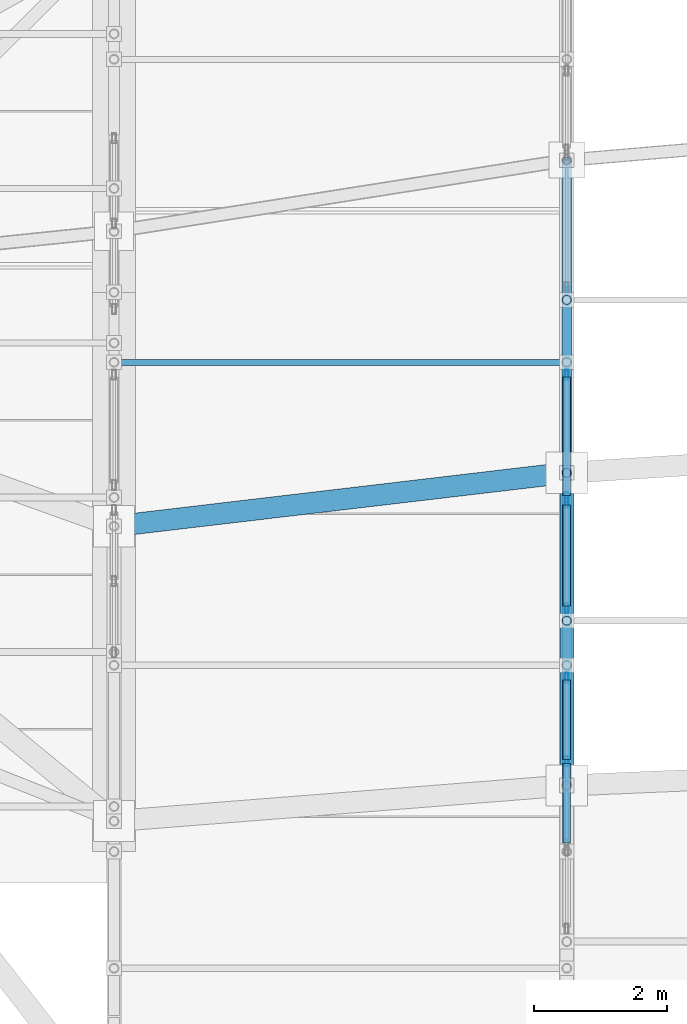
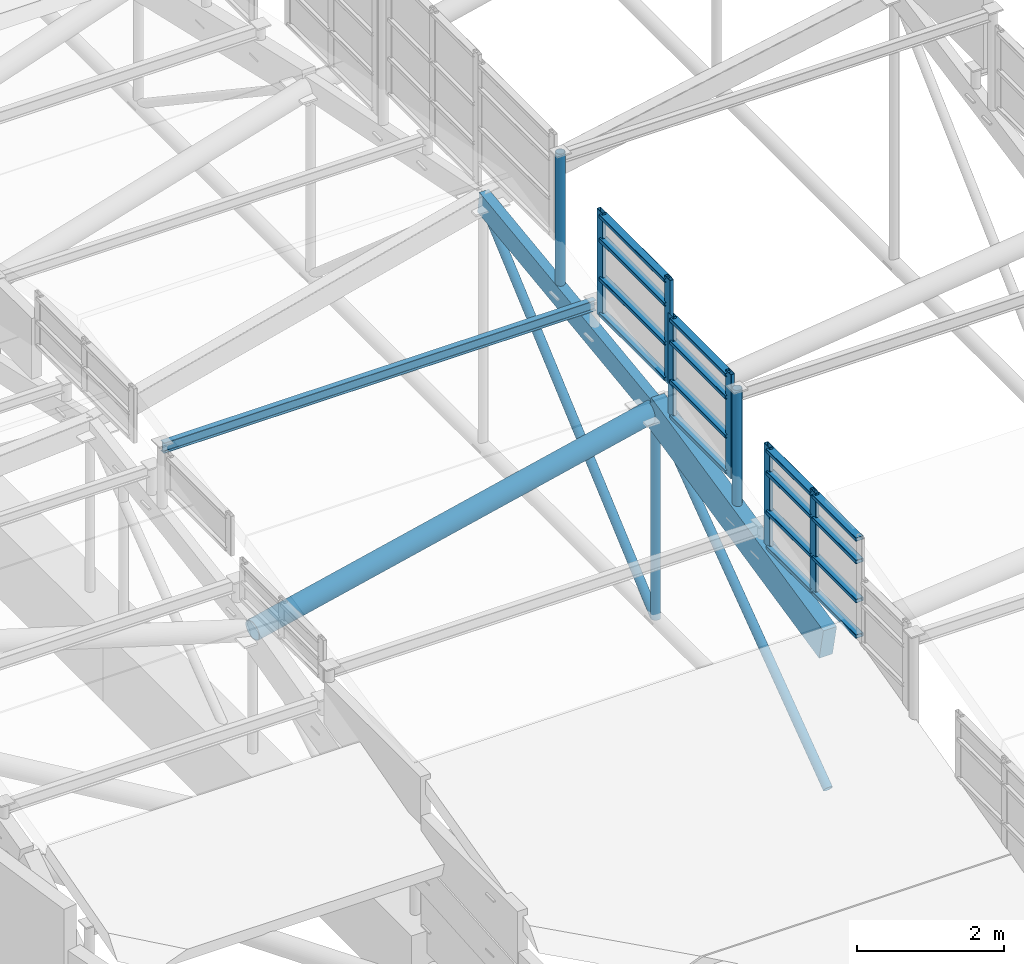
# One storey, part 69 of 188: 31 members, 3 elements without a shape of their own.
"""IFC4 building model written with IfcOpenShell, lengths in metres."""

from ifc_helpers import new_model, si_unit, direction, frame, origin, origin_2d, place, context, subcontext, project, spatial, rectangle, hollow_rectangle, hollow_circle, i_section, extrude, material, layer, layer_set, material_profile, profile_set, type_object, element, aggregate, save


model = new_model("IFC4")

# Units and contexts
model_context = context("Model", 3, precision=1e-05, world=origin(), true_north=direction((0.0, 1.0)))
body_context = subcontext(model_context, "Body", "Model", "MODEL_VIEW")
ifc_project = project(units=[si_unit("LENGTHUNIT", "METRE"), si_unit("AREAUNIT", "SQUARE_METRE"), si_unit("VOLUMEUNIT", "CUBIC_METRE"), si_unit("PLANEANGLEUNIT", "RADIAN"), si_unit("MASSUNIT", "GRAM", prefix="KILO")], contexts=[model_context])

# Site, building, storey
site_placement = place(None, origin())
site = spatial("IfcSite", under=ifc_project, at=site_placement, CompositionType="ELEMENT")
building_placement = place(site_placement, origin())
building = spatial("IfcBuilding", under=site, at=building_placement, Name="Kisaragi Civic Commons", CompositionType="ELEMENT")
storey_placement = place(building_placement, frame((0.0, 0.0, 9.60009765625)))
storey = spatial("IfcBuildingStorey", under=building, at=storey_placement, Name="L02", CompositionType="ELEMENT", Elevation=9.60009765625)

# Curtain wall, members
ifc_material_1 = material(Name="Thermally broken anodized aluminium and low-E double glazing", Category="aluminium")
ifc_layer = layer(ifc_material_1, 0.14990234375, Name="Thermally broken anodized aluminium and low-E double glazing", Category="aluminium")
ifc_layer_set = layer_set([ifc_layer], Name="Thermally broken anodized aluminium and low-E double glazing")
curtain_wall_type = type_object("IfcCurtainWallType", Name="CW-03", PredefinedType="NOTDEFINED", material=ifc_layer_set)
curtain_wall_1_placement = place(storey_placement, origin())
curtain_wall_1 = element("IfcCurtainWall", 1, at=curtain_wall_1_placement, inside=storey, type_object=curtain_wall_type, Name="L02 curtain wall CW-03 CW-CL-V2-182", PredefinedType="NOTDEFINED")
ifc_material_profile_1 = material_profile(ifc_material_1, hollow_rectangle(XDim=0.06005859375, YDim=0.14990234375, WallThickness=0.00390625, InnerFilletRadius=0.00390625, OuterFilletRadius=0.008056640625, at=origin_2d()), Name="CWM-60x150x4", Category="aluminium")
ifc_profile_set_1 = profile_set([ifc_material_profile_1], Name="Thermally broken anodized aluminium and low-E double glazing")
member_type_1 = type_object("IfcMemberType", Name="CWM-01", PredefinedType="MULLION", material=ifc_profile_set_1)
member_1_placement = place(storey_placement, frame((13.60009765625, 88.95458984375, 2.31103515625), z_axis=(0.0, 0.0, 1.0), x_axis=(-1.0, 0.0, 0.0)))
member_1 = element("IfcMember", 2, at=member_1_placement, type_object=member_type_1, Name="CW-03 mullion 2", PredefinedType="MULLION", context=body_context, shape_type="SweptSolid", body=[
    extrude(hollow_rectangle(XDim=0.06005859375, YDim=0.14990234375, WallThickness=0.00390625, InnerFilletRadius=0.00390625, OuterFilletRadius=0.008056640625, at=origin_2d()), origin(), (0.0, 0.0, 1.0), 1.732666015625),
])
member_2_placement = place(storey_placement, frame((13.60009765625, 90.20849609375, 2.31103515625), z_axis=(0.0, 0.0, 1.0), x_axis=(-1.0, 0.0, 0.0)))
member_2 = element("IfcMember", 3, at=member_2_placement, type_object=member_type_1, Name="CW-03 mullion 3", PredefinedType="MULLION", context=body_context, shape_type="SweptSolid", body=[
    extrude(hollow_rectangle(XDim=0.06005859375, YDim=0.14990234375, WallThickness=0.00390625, InnerFilletRadius=0.00390625, OuterFilletRadius=0.008056640625, at=origin_2d()), origin(), (0.0, 0.0, 1.0), 1.732666015625),
])

curtain_wall_2_placement = place(storey_placement, origin())
curtain_wall_2 = element("IfcCurtainWall", 4, at=curtain_wall_2_placement, inside=storey, type_object=curtain_wall_type, Name="L02 curtain wall CW-03 CW-CL-V2-183", PredefinedType="NOTDEFINED")
member_3_placement = place(storey_placement, frame((13.60009765625, 91.257080078125, 2.8896484375), z_axis=(0.0, 0.0, 1.0), x_axis=(-1.0, 0.0, 0.0)))
member_3 = element("IfcMember", 5, at=member_3_placement, type_object=member_type_1, Name="CW-03 mullion 1", PredefinedType="MULLION", context=body_context, shape_type="SweptSolid", body=[
    extrude(hollow_rectangle(XDim=0.06005859375, YDim=0.14990234375, WallThickness=0.00390625, InnerFilletRadius=0.00390625, OuterFilletRadius=0.008056640625, at=origin_2d()), origin(), (0.0, 0.0, 1.0), 1.732666015625),
])
member_4_placement = place(storey_placement, frame((13.60009765625, 92.8359375, 2.8896484375), z_axis=(0.0, 0.0, 1.0), x_axis=(-1.0, 0.0, 0.0)))
member_4 = element("IfcMember", 6, at=member_4_placement, type_object=member_type_1, Name="CW-03 mullion 2", PredefinedType="MULLION", context=body_context, shape_type="SweptSolid", body=[
    extrude(hollow_rectangle(XDim=0.06005859375, YDim=0.14990234375, WallThickness=0.00390625, InnerFilletRadius=0.00390625, OuterFilletRadius=0.008056640625, at=origin_2d()), origin(), (0.0, 0.0, 1.0), 1.732666015625),
])

curtain_wall_3_placement = place(storey_placement, origin())
curtain_wall_3 = element("IfcCurtainWall", 7, at=curtain_wall_3_placement, inside=storey, type_object=curtain_wall_type, Name="L02 curtain wall CW-03 CW-CL-V2-184", PredefinedType="NOTDEFINED")
member_5_placement = place(storey_placement, frame((13.60009765625, 92.919921875, 3.427001953125), z_axis=(0.0, 0.0, 1.0), x_axis=(-1.0, 0.0, 0.0)))
member_5 = element("IfcMember", 8, at=member_5_placement, type_object=member_type_1, Name="CW-03 mullion 1", PredefinedType="MULLION", context=body_context, shape_type="SweptSolid", body=[
    extrude(hollow_rectangle(XDim=0.06005859375, YDim=0.14990234375, WallThickness=0.00390625, InnerFilletRadius=0.00390625, OuterFilletRadius=0.008056640625, at=origin_2d()), origin(), (0.0, 0.0, 1.0), 1.75439453125),
])
member_6_placement = place(storey_placement, frame((13.60009765625, 94.759765625, 3.427001953125), z_axis=(0.0, 0.0, 1.0), x_axis=(-1.0, 0.0, 0.0)))
member_6 = element("IfcMember", 9, at=member_6_placement, type_object=member_type_1, Name="CW-03 mullion 2", PredefinedType="MULLION", context=body_context, shape_type="SweptSolid", body=[
    extrude(hollow_rectangle(XDim=0.06005859375, YDim=0.14990234375, WallThickness=0.00390625, InnerFilletRadius=0.00390625, OuterFilletRadius=0.008056640625, at=origin_2d()), origin(), (0.0, 0.0, 1.0), 1.75439453125),
])

# Member
ifc_material_profile_2 = material_profile(ifc_material_1, hollow_rectangle(XDim=0.1201171875, YDim=0.06005859375, WallThickness=0.00390625, InnerFilletRadius=0.00390625, OuterFilletRadius=0.008056640625, at=origin_2d()), Name="CWT-60x120x4", Category="aluminium")
ifc_profile_set_2 = profile_set([ifc_material_profile_2], Name="Thermally broken anodized aluminium and low-E double glazing")
member_type_2 = type_object("IfcMemberType", Name="CWT-01", PredefinedType="USERDEFINED", material=ifc_profile_set_2)
member_7_placement = place(storey_placement, frame((13.60009765625, 87.730712890625, 2.37109375), z_axis=(0.0, 1.0, 0.0), x_axis=(-1.0, 0.0, 0.0)))
member_7 = element("IfcMember", 10, at=member_7_placement, type_object=member_type_2, Name="CW-03 transom 1.1", ObjectType="TRANSOM", PredefinedType="USERDEFINED", context=body_context, shape_type="SweptSolid", body=[
    extrude(hollow_rectangle(XDim=0.1201171875, YDim=0.06005859375, WallThickness=0.00390625, InnerFilletRadius=0.00390625, OuterFilletRadius=0.008056640625, at=origin_2d()), origin(), (0.0, 0.0, 1.0), 1.19384765625),
])

member_8_placement = place(storey_placement, frame((13.60009765625, 87.730712890625, 2.961181640625), z_axis=(0.0, 1.0, 0.0), x_axis=(-1.0, 0.0, 0.0)))
member_8 = element("IfcMember", 11, at=member_8_placement, type_object=member_type_2, Name="CW-03 transom 1.2", ObjectType="TRANSOM", PredefinedType="USERDEFINED", context=body_context, shape_type="SweptSolid", body=[
    extrude(hollow_rectangle(XDim=0.1201171875, YDim=0.06005859375, WallThickness=0.00390625, InnerFilletRadius=0.00390625, OuterFilletRadius=0.008056640625, at=origin_2d()), origin(), (0.0, 0.0, 1.0), 1.19384765625),
])

member_9_placement = place(storey_placement, frame((13.60009765625, 87.730712890625, 3.611083984375), z_axis=(0.0, 1.0, 0.0), x_axis=(-1.0, 0.0, 0.0)))
member_9 = element("IfcMember", 12, at=member_9_placement, type_object=member_type_2, Name="CW-03 transom 1.3", ObjectType="TRANSOM", PredefinedType="USERDEFINED", context=body_context, shape_type="SweptSolid", body=[
    extrude(hollow_rectangle(XDim=0.1201171875, YDim=0.06005859375, WallThickness=0.00390625, InnerFilletRadius=0.00390625, OuterFilletRadius=0.008056640625, at=origin_2d()), origin(), (0.0, 0.0, 1.0), 1.19384765625),
])

member_10_placement = place(storey_placement, frame((13.60009765625, 87.730712890625, 3.983642578125), z_axis=(0.0, 1.0, 0.0), x_axis=(-1.0, 0.0, 0.0)))
member_10 = element("IfcMember", 13, at=member_10_placement, type_object=member_type_2, Name="CW-03 transom 1.4", ObjectType="TRANSOM", PredefinedType="USERDEFINED", context=body_context, shape_type="SweptSolid", body=[
    extrude(hollow_rectangle(XDim=0.1201171875, YDim=0.06005859375, WallThickness=0.00390625, InnerFilletRadius=0.00390625, OuterFilletRadius=0.008056640625, at=origin_2d()), origin(), (0.0, 0.0, 1.0), 1.19384765625),
])

member_11_placement = place(storey_placement, frame((13.60009765625, 88.984619140625, 2.37109375), z_axis=(0.0, 1.0, 0.0), x_axis=(-1.0, 0.0, 0.0)))
member_11 = element("IfcMember", 14, at=member_11_placement, type_object=member_type_2, Name="CW-03 transom 2.1", ObjectType="TRANSOM", PredefinedType="USERDEFINED", context=body_context, shape_type="SweptSolid", body=[
    extrude(hollow_rectangle(XDim=0.1201171875, YDim=0.06005859375, WallThickness=0.00390625, InnerFilletRadius=0.00390625, OuterFilletRadius=0.008056640625, at=origin_2d()), origin(), (0.0, 0.0, 1.0), 1.19384765625),
])

member_12_placement = place(storey_placement, frame((13.60009765625, 88.984619140625, 2.961181640625), z_axis=(0.0, 1.0, 0.0), x_axis=(-1.0, 0.0, 0.0)))
member_12 = element("IfcMember", 15, at=member_12_placement, type_object=member_type_2, Name="CW-03 transom 2.2", ObjectType="TRANSOM", PredefinedType="USERDEFINED", context=body_context, shape_type="SweptSolid", body=[
    extrude(hollow_rectangle(XDim=0.1201171875, YDim=0.06005859375, WallThickness=0.00390625, InnerFilletRadius=0.00390625, OuterFilletRadius=0.008056640625, at=origin_2d()), origin(), (0.0, 0.0, 1.0), 1.19384765625),
])

member_13_placement = place(storey_placement, frame((13.60009765625, 88.984619140625, 3.611083984375), z_axis=(0.0, 1.0, 0.0), x_axis=(-1.0, 0.0, 0.0)))
member_13 = element("IfcMember", 16, at=member_13_placement, type_object=member_type_2, Name="CW-03 transom 2.3", ObjectType="TRANSOM", PredefinedType="USERDEFINED", context=body_context, shape_type="SweptSolid", body=[
    extrude(hollow_rectangle(XDim=0.1201171875, YDim=0.06005859375, WallThickness=0.00390625, InnerFilletRadius=0.00390625, OuterFilletRadius=0.008056640625, at=origin_2d()), origin(), (0.0, 0.0, 1.0), 1.19384765625),
])

member_14_placement = place(storey_placement, frame((13.60009765625, 88.984619140625, 3.983642578125), z_axis=(0.0, 1.0, 0.0), x_axis=(-1.0, 0.0, 0.0)))
member_14 = element("IfcMember", 17, at=member_14_placement, type_object=member_type_2, Name="CW-03 transom 2.4", ObjectType="TRANSOM", PredefinedType="USERDEFINED", context=body_context, shape_type="SweptSolid", body=[
    extrude(hollow_rectangle(XDim=0.1201171875, YDim=0.06005859375, WallThickness=0.00390625, InnerFilletRadius=0.00390625, OuterFilletRadius=0.008056640625, at=origin_2d()), origin(), (0.0, 0.0, 1.0), 1.19384765625),
])

aggregate(curtain_wall_1, [member_1, member_2, member_7, member_8, member_9, member_10, member_11, member_12, member_13, member_14])

member_15_placement = place(storey_placement, frame((13.60009765625, 91.287109375, 2.94970703125), z_axis=(0.0, 1.0, 0.0), x_axis=(-1.0, 0.0, 0.0)))
member_15 = element("IfcMember", 18, at=member_15_placement, type_object=member_type_2, Name="CW-03 transom 1.1", ObjectType="TRANSOM", PredefinedType="USERDEFINED", context=body_context, shape_type="SweptSolid", body=[
    extrude(hollow_rectangle(XDim=0.1201171875, YDim=0.06005859375, WallThickness=0.00390625, InnerFilletRadius=0.00390625, OuterFilletRadius=0.008056640625, at=origin_2d()), origin(), (0.0, 0.0, 1.0), 1.518798828125),
])

member_16_placement = place(storey_placement, frame((13.60009765625, 91.287109375, 3.53955078125), z_axis=(0.0, 1.0, 0.0), x_axis=(-1.0, 0.0, 0.0)))
member_16 = element("IfcMember", 19, at=member_16_placement, type_object=member_type_2, Name="CW-03 transom 1.2", ObjectType="TRANSOM", PredefinedType="USERDEFINED", context=body_context, shape_type="SweptSolid", body=[
    extrude(hollow_rectangle(XDim=0.1201171875, YDim=0.06005859375, WallThickness=0.00390625, InnerFilletRadius=0.00390625, OuterFilletRadius=0.008056640625, at=origin_2d()), origin(), (0.0, 0.0, 1.0), 1.518798828125),
])

member_17_placement = place(storey_placement, frame((13.60009765625, 91.287109375, 4.189697265625), z_axis=(0.0, 1.0, 0.0), x_axis=(-1.0, 0.0, 0.0)))
member_17 = element("IfcMember", 20, at=member_17_placement, type_object=member_type_2, Name="CW-03 transom 1.3", ObjectType="TRANSOM", PredefinedType="USERDEFINED", context=body_context, shape_type="SweptSolid", body=[
    extrude(hollow_rectangle(XDim=0.1201171875, YDim=0.06005859375, WallThickness=0.00390625, InnerFilletRadius=0.00390625, OuterFilletRadius=0.008056640625, at=origin_2d()), origin(), (0.0, 0.0, 1.0), 1.518798828125),
])

member_18_placement = place(storey_placement, frame((13.60009765625, 91.287109375, 4.562255859375), z_axis=(0.0, 1.0, 0.0), x_axis=(-1.0, 0.0, 0.0)))
member_18 = element("IfcMember", 21, at=member_18_placement, type_object=member_type_2, Name="CW-03 transom 1.4", ObjectType="TRANSOM", PredefinedType="USERDEFINED", context=body_context, shape_type="SweptSolid", body=[
    extrude(hollow_rectangle(XDim=0.1201171875, YDim=0.06005859375, WallThickness=0.00390625, InnerFilletRadius=0.00390625, OuterFilletRadius=0.008056640625, at=origin_2d()), origin(), (0.0, 0.0, 1.0), 1.518798828125),
])

aggregate(curtain_wall_2, [member_3, member_4, member_15, member_16, member_17, member_18])

member_19_placement = place(storey_placement, frame((13.60009765625, 92.949951171875, 3.487060546875), z_axis=(0.0, 1.0, 0.0), x_axis=(-1.0, 0.0, 0.0)))
member_19 = element("IfcMember", 22, at=member_19_placement, type_object=member_type_2, Name="CW-03 transom 1.1", ObjectType="TRANSOM", PredefinedType="USERDEFINED", context=body_context, shape_type="SweptSolid", body=[
    extrude(hollow_rectangle(XDim=0.1201171875, YDim=0.06005859375, WallThickness=0.00390625, InnerFilletRadius=0.00390625, OuterFilletRadius=0.008056640625, at=origin_2d()), origin(), (0.0, 0.0, 1.0), 1.77978515625),
])

member_20_placement = place(storey_placement, frame((13.60009765625, 92.949951171875, 4.076904296875), z_axis=(0.0, 1.0, 0.0), x_axis=(-1.0, 0.0, 0.0)))
member_20 = element("IfcMember", 23, at=member_20_placement, type_object=member_type_2, Name="CW-03 transom 1.2", ObjectType="TRANSOM", PredefinedType="USERDEFINED", context=body_context, shape_type="SweptSolid", body=[
    extrude(hollow_rectangle(XDim=0.1201171875, YDim=0.06005859375, WallThickness=0.00390625, InnerFilletRadius=0.00390625, OuterFilletRadius=0.008056640625, at=origin_2d()), origin(), (0.0, 0.0, 1.0), 1.77978515625),
])

member_21_placement = place(storey_placement, frame((13.60009765625, 92.949951171875, 4.72705078125), z_axis=(0.0, 1.0, 0.0), x_axis=(-1.0, 0.0, 0.0)))
member_21 = element("IfcMember", 24, at=member_21_placement, type_object=member_type_2, Name="CW-03 transom 1.3", ObjectType="TRANSOM", PredefinedType="USERDEFINED", context=body_context, shape_type="SweptSolid", body=[
    extrude(hollow_rectangle(XDim=0.1201171875, YDim=0.06005859375, WallThickness=0.00390625, InnerFilletRadius=0.00390625, OuterFilletRadius=0.008056640625, at=origin_2d()), origin(), (0.0, 0.0, 1.0), 1.77978515625),
])

member_22_placement = place(storey_placement, frame((13.60009765625, 92.949951171875, 5.121337890625), z_axis=(0.0, 1.0, 0.0), x_axis=(-1.0, 0.0, 0.0)))
member_22 = element("IfcMember", 25, at=member_22_placement, type_object=member_type_2, Name="CW-03 transom 1.4", ObjectType="TRANSOM", PredefinedType="USERDEFINED", context=body_context, shape_type="SweptSolid", body=[
    extrude(hollow_rectangle(XDim=0.1201171875, YDim=0.06005859375, WallThickness=0.00390625, InnerFilletRadius=0.00390625, OuterFilletRadius=0.008056640625, at=origin_2d()), origin(), (0.0, 0.0, 1.0), 1.77978515625),
])

aggregate(curtain_wall_3, [member_5, member_6, member_19, member_20, member_21, member_22])

# Members
ifc_material_2 = material(Name="Steel SN490 (SN490B)", Category="steel")
ifc_material_profile_3 = material_profile(ifc_material_2, hollow_circle(Radius=0.1591796875, WallThickness=0.01025390625, at=origin_2d()), Name="CHS-318.5x10.3", Category="steel")
ifc_profile_set_3 = profile_set([ifc_material_profile_3], Name="Steel SN490 (SN490B)")
member_type_3 = type_object("IfcMemberType", Name="GC-03", PredefinedType="CHORD", material=ifc_profile_set_3)
member_23_placement = place(storey_placement, frame((6.800048828125, 92.486572265625, 1.95849609375), z_axis=(0.986247167902, 0.11635400832, 0.117380869622), x_axis=(-0.117163966247, 0.993112584259, 0.0)))
element("IfcMember", 26, at=member_23_placement, inside=storey, type_object=member_type_3, Name="V2 wave gridshell chord GC-03 10", PredefinedType="CHORD", context=body_context, shape_type="SweptSolid", body=[
    extrude(hollow_circle(Radius=0.1591796875, WallThickness=0.01025390625, at=origin_2d()), origin(), (0.0, 0.0, 1.0), 6.894775390625),
])
ifc_material_3 = material(Name="Glulam E120-F330", Category="wood")
ifc_material_profile_4 = material_profile(ifc_material_3, rectangle(XDim=0.2099609375, YDim=0.5400390625, at=origin_2d()), Name="GL-210x540", Category="wood")
ifc_profile_set_4 = profile_set([ifc_material_profile_4], Name="Glulam E120-F330")
member_type_4 = type_object("IfcMemberType", Name="GR-04", PredefinedType="RAFTER", material=ifc_profile_set_4)
member_24_placement = place(storey_placement, frame((13.60009765625, 88.592529296875, 1.7353515625), z_axis=(0.0, 0.976675567475, 0.214720366752), x_axis=(-1.0, 0.0, 0.0)))
element("IfcMember", 27, at=member_24_placement, inside=storey, type_object=member_type_4, Name="V2 glulam arch rib GR-04 19", PredefinedType="RAFTER", context=body_context, shape_type="SweptSolid", body=[
    extrude(rectangle(XDim=0.2099609375, YDim=0.5400390625, at=origin_2d()), origin(), (0.0, 0.0, 1.0), 4.808349609375),
])
ifc_material_profile_5 = material_profile(ifc_material_3, rectangle(XDim=0.14990234375, YDim=0.360107421875, at=origin_2d()), Name="GL-150x360", Category="wood")
ifc_profile_set_5 = profile_set([ifc_material_profile_5], Name="Glulam E120-F330")
member_type_5 = type_object("IfcMemberType", Name="GR-06", PredefinedType="RAFTER", material=ifc_profile_set_5)
member_25_placement = place(storey_placement, frame((13.60009765625, 93.288818359375, 2.767822265625), z_axis=(0.0, 0.991461311395, 0.130401181006), x_axis=(-1.0, 0.0, 0.0)))
element("IfcMember", 28, at=member_25_placement, inside=storey, type_object=member_type_5, Name="V2 glulam arch rib GR-06 20", PredefinedType="RAFTER", context=body_context, shape_type="SweptSolid", body=[
    extrude(rectangle(XDim=0.14990234375, YDim=0.360107421875, at=origin_2d()), origin(), (0.0, 0.0, 1.0), 4.73681640625),
])
ifc_material_4 = material(Name="Steel SN400 (SN400B)", Category="steel")
ifc_material_profile_6 = material_profile(ifc_material_4, i_section(OverallWidth=0.090087890625, OverallDepth=0.175048828125, WebThickness=0.0048828125, FlangeThickness=0.008056640625, FilletRadius=0.008056640625, at=origin_2d()), Name="H-175x90x5x8", Category="steel")
ifc_profile_set_6 = profile_set([ifc_material_profile_6], Name="Steel SN400 (SN400B)")
member_type_6 = type_object("IfcMemberType", Name="PR-03", PredefinedType="PURLIN", material=ifc_profile_set_6)
member_26_placement = place(storey_placement, frame((6.800048828125, 94.94970703125, 3.512451171875), z_axis=(1.0, 0.0, 0.0), x_axis=(0.0, 1.0, 0.0)))
element("IfcMember", 29, at=member_26_placement, inside=storey, type_object=member_type_6, Name="V2 wave vault steel purlin 12", PredefinedType="PURLIN", context=body_context, shape_type="SweptSolid", body=[
    extrude(i_section(OverallWidth=0.090087890625, OverallDepth=0.175048828125, WebThickness=0.0048828125, FlangeThickness=0.008056640625, FilletRadius=0.008056640625, at=origin_2d()), origin(), (0.0, 0.0, 1.0), 6.800048828125),
])
ifc_material_profile_7 = material_profile(ifc_material_2, hollow_circle(Radius=0.06982421875, WallThickness=0.006103515625, at=origin_2d()), Name="CHS-139.8x6.0", Category="steel")
ifc_profile_set_7 = profile_set([ifc_material_profile_7], Name="Steel SN490 (SN490B)")
member_type_7 = type_object("IfcMemberType", Name="ST-H1", PredefinedType="STRUT", material=ifc_profile_set_7)
member_27_placement = place(storey_placement, frame((13.60009765625, 93.288818359375, -0.69921875), z_axis=(0.0, 0.0, 1.0), x_axis=(1.0, 0.0, 0.0)))
element("IfcMember", 30, at=member_27_placement, inside=storey, type_object=member_type_7, Name="V2 arch tie hanger strut 33", PredefinedType="STRUT", context=body_context, shape_type="SweptSolid", body=[
    extrude(hollow_circle(Radius=0.06982421875, WallThickness=0.006103515625, at=origin_2d()), origin(), (0.0, 0.0, 1.0), 3.467041015625),
])
member_28_placement = place(storey_placement, frame((13.60009765625, 88.592529296875, -0.69921875), z_axis=(0.0, 0.804514126114, 0.593933515541), x_axis=(-1.0, 0.0, 0.0)))
element("IfcMember", 31, at=member_28_placement, inside=storey, type_object=member_type_7, Name="V2 tied arch truss diagonal web strut 39", PredefinedType="STRUT", context=body_context, shape_type="SweptSolid", body=[
    extrude(hollow_circle(Radius=0.06982421875, WallThickness=0.006103515625, at=origin_2d()), origin(), (0.0, 0.0, 1.0), 5.83740234375),
])
member_29_placement = place(storey_placement, frame((13.60009765625, 93.288818359375, -0.69921875), z_axis=(0.0, 0.754526982846, 0.656269024225), x_axis=(-1.0, 0.0, 0.0)))
element("IfcMember", 32, at=member_29_placement, inside=storey, type_object=member_type_7, Name="V2 tied arch truss diagonal web strut 40", PredefinedType="STRUT", context=body_context, shape_type="SweptSolid", body=[
    extrude(hollow_circle(Radius=0.06982421875, WallThickness=0.006103515625, at=origin_2d()), origin(), (0.0, 0.0, 1.0), 6.22412109375),
])
member_30_placement = place(storey_placement, frame((13.60009765625, 91.06689453125, 2.279296875), z_axis=(0.0, 0.0, 1.0), x_axis=(1.0, 0.0, 0.0)))
element("IfcMember", 33, at=member_30_placement, inside=storey, type_object=member_type_7, Name="V2 clerestory monitor horizontal tie strut 3.2.3", PredefinedType="STRUT", context=body_context, shape_type="SweptSolid", body=[
    extrude(hollow_circle(Radius=0.06982421875, WallThickness=0.006103515625, at=origin_2d()), origin(), (0.0, 0.0, 1.0), 2.19091796875),
])
member_31_placement = place(storey_placement, frame((13.60009765625, 95.8857421875, 3.109375), z_axis=(0.0, 0.0, 1.0), x_axis=(1.0, 0.0, 0.0)))
element("IfcMember", 34, at=member_31_placement, inside=storey, type_object=member_type_7, Name="V2 clerestory monitor horizontal tie strut 3.2.4", PredefinedType="STRUT", context=body_context, shape_type="SweptSolid", body=[
    extrude(hollow_circle(Radius=0.06982421875, WallThickness=0.006103515625, at=origin_2d()), origin(), (0.0, 0.0, 1.0), 2.366943359375),
])

save(model, "model.ifc")
